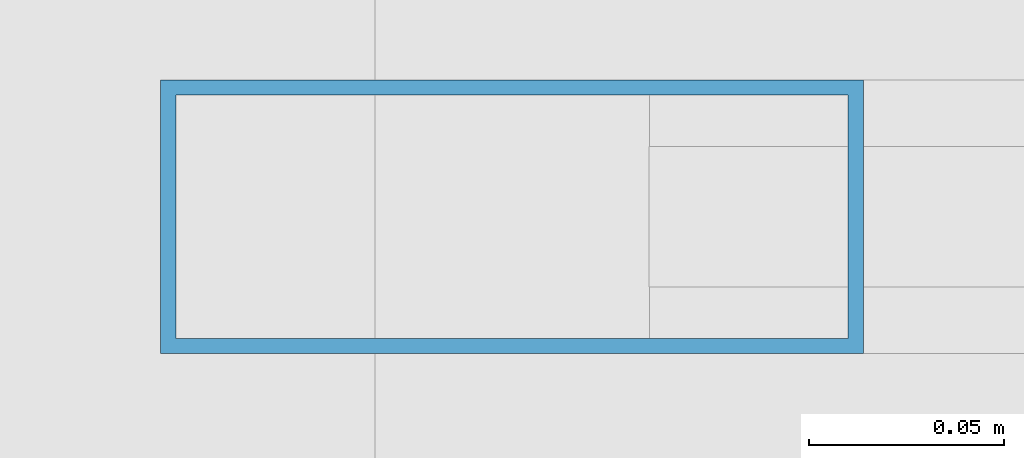
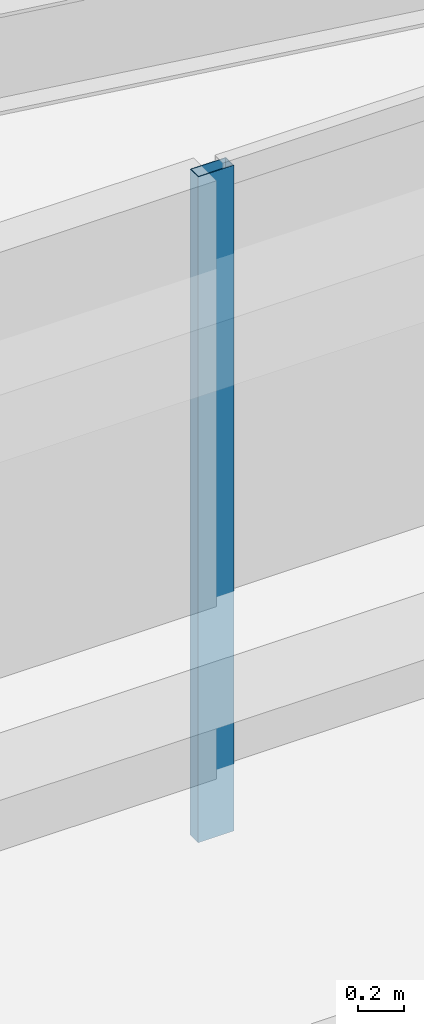
# One storey, part 3 of 65: 1 member, 1 element without a shape of its own.
"""IFC4 building model written with IfcOpenShell, lengths in metres."""

from ifc_helpers import new_model, si_unit, direction, frame, origin, origin_2d, place, context, subcontext, project, spatial, hollow_rectangle, extrude, material, material_profile, profile_set, type_object, element, aggregate, save


model = new_model("IFC4")

# Units and contexts
model_context = context("Model", 3, precision=1e-05, world=origin(), true_north=direction((0.0, 1.0)))
body_context = subcontext(model_context, "Body", "Model", "MODEL_VIEW")
ifc_project = project(units=[si_unit("LENGTHUNIT", "METRE"), si_unit("AREAUNIT", "SQUARE_METRE"), si_unit("VOLUMEUNIT", "CUBIC_METRE"), si_unit("PLANEANGLEUNIT", "RADIAN"), si_unit("MASSUNIT", "GRAM", prefix="KILO")], contexts=[model_context])

# Site, building, storey
site_placement = place(None, origin())
site = spatial("IfcSite", under=ifc_project, at=site_placement, CompositionType="ELEMENT")
building_placement = place(site_placement, origin())
building = spatial("IfcBuilding", under=site, at=building_placement, Name="Tashvorn Skyway Center", CompositionType="ELEMENT")
storey_placement = place(building_placement, frame((0.0, 0.0, 157.0)))
storey = spatial("IfcBuildingStorey", under=building, at=storey_placement, Name="L42", CompositionType="ELEMENT", Elevation=157.0)

# Curtain wall, member
ifc_material = material(Name="Thermally broken bronze-anodized aluminium 6063-T6", Category="aluminium")
curtain_wall_type = type_object("IfcCurtainWallType", Name="CW-CW-Z4", PredefinedType="NOTDEFINED", material=ifc_material)
curtain_wall_placement = place(storey_placement, origin())
curtain_wall = element("IfcCurtainWall", 1, at=curtain_wall_placement, inside=storey, type_object=curtain_wall_type, Name="Tower 1 L42 South Unitised Curtain Wall Glazing Group 3", PredefinedType="NOTDEFINED")
ifc_material_profile = material_profile(ifc_material, hollow_rectangle(XDim=0.070068359375, YDim=0.179931640625, WallThickness=0.00390625, at=origin_2d()), Name="ALU-MULL-70x180")
ifc_profile_set = profile_set([ifc_material_profile], Name="Thermally broken bronze-anodized aluminium 6063-T6")
member_type = type_object("IfcMemberType", Name="CWM-CW-Z4", PredefinedType="MULLION", material=ifc_profile_set)
member_placement = place(storey_placement, frame((30.07275390625, 14.320068359375, 0.0), z_axis=(0.0, 0.0, 1.0), x_axis=(0.0, -1.0, 0.0)))
member = element("IfcMember", 2, at=member_placement, type_object=member_type, Name="CW-Z4 mullion 3", PredefinedType="MULLION", context=body_context, shape_type="SweptSolid", body=[
    extrude(hollow_rectangle(XDim=0.070068359375, YDim=0.179931640625, WallThickness=0.00390625, at=origin_2d()), origin(), (0.0, 0.0, 1.0), 3.550048828125),
])
aggregate(curtain_wall, [member])

save(model, "model.ifc")
